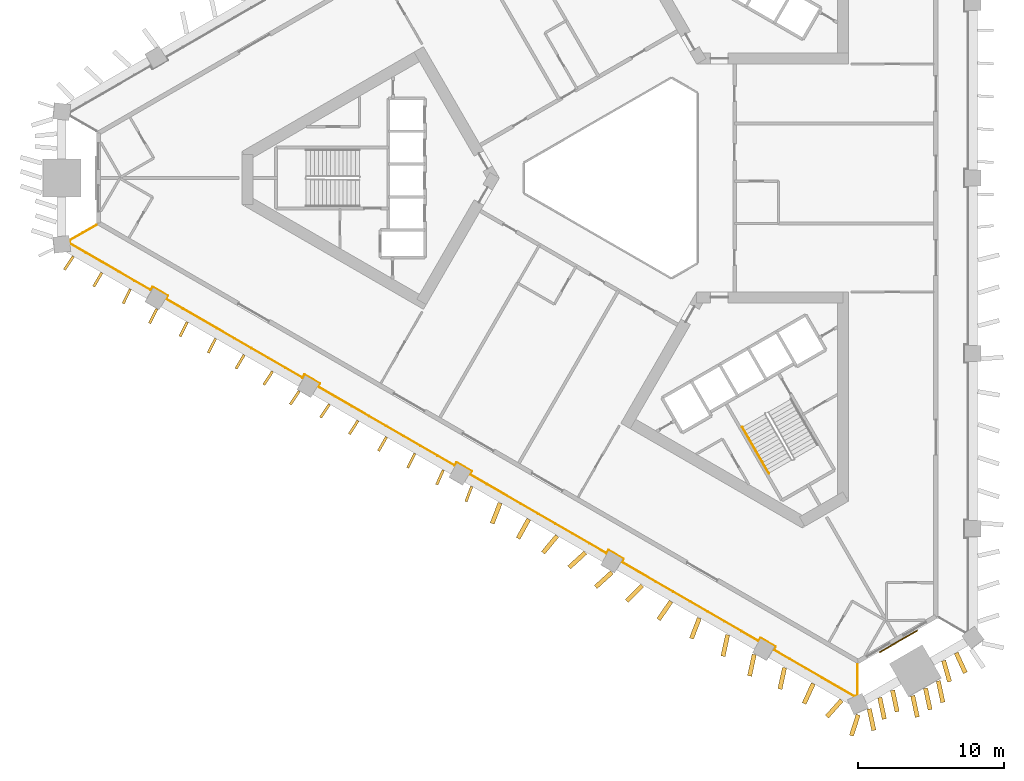
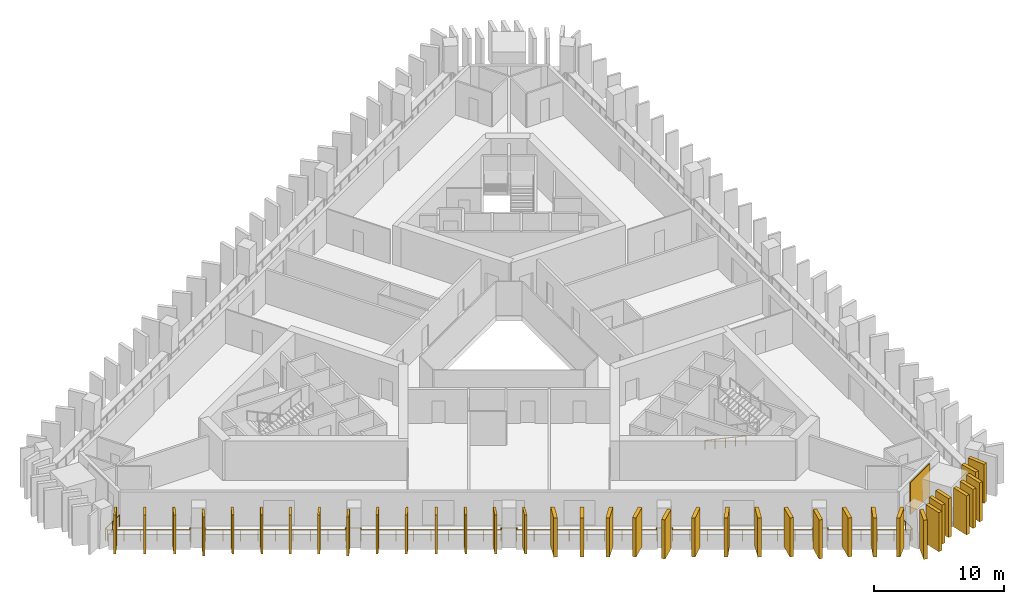
# One storey, part 8 of 11: 37 shading devices, 2 railings, 1 covering.
"""IFC4 building model written with IfcOpenShell, lengths in metres."""

from ifc_helpers import new_model, si_unit, direction, frame, frame_2d, origin, origin_2d, place, context, subcontext, project, spatial, rectangle, circle, extrude, material, layer, layer_set, type_object, element, save


model = new_model("IFC4")

# Units and contexts
model_context = context("Model", 3, precision=1e-05, world=origin(), true_north=direction((0.0, 1.0)))
body_context = subcontext(model_context, "Body", "Model", "MODEL_VIEW")
ifc_project = project(units=[si_unit("LENGTHUNIT", "METRE"), si_unit("AREAUNIT", "SQUARE_METRE"), si_unit("VOLUMEUNIT", "CUBIC_METRE"), si_unit("PLANEANGLEUNIT", "RADIAN"), si_unit("MASSUNIT", "GRAM", prefix="KILO")], contexts=[model_context])

# Site, building, storey
site_placement = place(None, origin())
site = spatial("IfcSite", under=ifc_project, at=site_placement, CompositionType="ELEMENT")
building_placement = place(site_placement, origin())
building = spatial("IfcBuilding", under=site, at=building_placement, Name="Jabali Bay Hotel Tower and Convention Centre", CompositionType="ELEMENT")
storey_placement = place(building_placement, frame((0.0, 0.0, 61.0)))
storey = spatial("IfcBuildingStorey", under=building, at=storey_placement, Name="L13", CompositionType="ELEMENT", Elevation=61.0)

# Railing
ifc_material_1 = material(Name="Glass", Category="glass")
railing_type_1 = type_object("IfcRailingType", Name="Loggia glass guard 1100", PredefinedType="BALUSTRADE", material=ifc_material_1)
railing_1_placement = place(storey_placement, frame((90.504638671875, 46.714111328125, 0.0)))
element("IfcRailing", 1, at=railing_1_placement, inside=storey, type_object=railing_type_1, Name="Loggia glass guard L13", PredefinedType="BALUSTRADE", context=body_context, shape_type="SweptSolid", body=[
    extrude(circle(Radius=0.02490234375, at=origin_2d()), frame((0.0, 0.0, 1.0751953125), z_axis=(0.0, -1.0, 0.0), x_axis=(0.991444861374, 0.0, 0.13052619222)), (0.0, 0.0, 1.0), 2.110595703125),
    extrude(circle(Radius=0.02490234375, at=origin_2d()), frame((0.0, -2.110595703125, 1.0751953125), z_axis=(-0.918259892691, -0.395978243688, 0.0), x_axis=(0.392590594921, -0.910404052014, 0.13052619222)), (0.0, 0.0, 1.0), 0.214599609375),
    extrude(circle(Radius=0.02490234375, at=origin_2d()), frame((-0.197021484375, -2.195556640625, 1.0751953125), z_axis=(-0.866037080148, 0.4999797754, 0.0), x_axis=(-0.495702379111, -0.858628012872, 0.13052619222)), (0.0, 0.0, 1.0), 6.378662109375),
    extrude(circle(Radius=0.02490234375, at=origin_2d()), frame((-5.72119140625, 0.99365234375, 1.0751953125), z_axis=(0.499919672301, 0.866071776036, 0.0), x_axis=(-0.858662411932, 0.495642790202, 0.13052619222)), (0.0, 0.0, 1.0), 0.25),
    extrude(circle(Radius=0.02490234375, at=origin_2d()), frame((-5.59619140625, 1.210205078125, 1.0751953125), z_axis=(-0.866043267704, 0.499969057507, 0.0), x_axis=(-0.495691752911, -0.858634147493, 0.13052619222)), (0.0, 0.0, 1.0), 1.19970703125),
    extrude(circle(Radius=0.02490234375, at=origin_2d()), frame((-6.63525390625, 1.81005859375, 1.0751953125), z_axis=(-0.500342721131, -0.865827443207, 0.0), x_axis=(0.858420169404, -0.496062219791, 0.13052619222)), (0.0, 0.0, 1.0), 0.249755859375),
    extrude(circle(Radius=0.02490234375, at=origin_2d()), frame((-6.76025390625, 1.59375, 1.0751953125), z_axis=(-0.866034388734, 0.499984437289, 0.0), x_axis=(-0.495707001117, -0.858625344483, 0.13052619222)), (0.0, 0.0, 1.0), 10.809326171875),
    extrude(circle(Radius=0.02490234375, at=origin_2d()), frame((-16.12158203125, 6.998291015625, 1.0751953125), z_axis=(0.499919672301, 0.866071776036, 0.0), x_axis=(-0.858662411932, 0.495642790202, 0.13052619222)), (0.0, 0.0, 1.0), 0.25),
    extrude(circle(Radius=0.02490234375, at=origin_2d()), frame((-15.99658203125, 7.21484375, 1.0751953125), z_axis=(-0.866006032174, 0.500033551112, 0.0), x_axis=(-0.495755694765, -0.858597230518, 0.13052619222)), (0.0, 0.0, 1.0), 1.2001953125),
    extrude(circle(Radius=0.02490234375, at=origin_2d()), frame((-17.035888671875, 7.81494140625, 1.0751953125), z_axis=(-0.499919672301, -0.866071776036, 0.0), x_axis=(0.858662411932, -0.495642790202, 0.13052619222)), (0.0, 0.0, 1.0), 0.25),
    extrude(circle(Radius=0.02490234375, at=origin_2d()), frame((-17.160888671875, 7.598388671875, 1.0751953125), z_axis=(-0.86601896228, 0.500011156846, 0.0), x_axis=(-0.495733492085, -0.858610050005, 0.13052619222)), (0.0, 0.0, 1.0), 10.809326171875),
    extrude(circle(Radius=0.02490234375, at=origin_2d()), frame((-26.52197265625, 13.003173828125, 1.0751953125), z_axis=(0.500342721131, 0.865827443207, 0.0), x_axis=(-0.858420169404, 0.496062219791, 0.13052619222)), (0.0, 0.0, 1.0), 0.249755859375),
    extrude(circle(Radius=0.02490234375, at=origin_2d()), frame((-26.39697265625, 13.219482421875, 1.0751953125), z_axis=(-0.866006032174, 0.500033551112, 0.0), x_axis=(-0.495755694765, -0.858597230518, 0.13052619222)), (0.0, 0.0, 1.0), 1.2001953125),
    extrude(circle(Radius=0.02490234375, at=origin_2d()), frame((-27.436279296875, 13.819580078125, 1.0751953125), z_axis=(-0.499919672301, -0.866071776036, 0.0), x_axis=(0.858662411932, -0.495642790202, 0.13052619222)), (0.0, 0.0, 1.0), 0.25),
    extrude(circle(Radius=0.02490234375, at=origin_2d()), frame((-27.561279296875, 13.60302734375, 1.0751953125), z_axis=(-0.866024608893, 0.500001376791, 0.0), x_axis=(-0.495723795699, -0.85861564831, 0.13052619222)), (0.0, 0.0, 1.0), 10.8095703125),
    extrude(circle(Radius=0.02490234375, at=origin_2d()), frame((-36.922607421875, 19.0078125, 1.0751953125), z_axis=(0.499919672301, 0.866071776036, 0.0), x_axis=(-0.858662411932, 0.495642790202, 0.13052619222)), (0.0, 0.0, 1.0), 0.25),
    extrude(circle(Radius=0.02490234375, at=origin_2d()), frame((-36.797607421875, 19.224365234375, 1.0751953125), z_axis=(-0.866094119867, 0.499880961361, 0.0), x_axis=(-0.49560441044, -0.858684564609, 0.13052619222)), (0.0, 0.0, 1.0), 1.199951171875),
    extrude(circle(Radius=0.02490234375, at=origin_2d()), frame((-37.8369140625, 19.82421875, 1.0751953125), z_axis=(-0.500342721131, -0.865827443207, 0.0), x_axis=(0.858420169404, -0.496062219791, 0.13052619222)), (0.0, 0.0, 1.0), 0.249755859375),
    extrude(circle(Radius=0.02490234375, at=origin_2d()), frame((-37.9619140625, 19.60791015625, 1.0751953125), z_axis=(-0.86602874244, 0.499994217234, 0.0), x_axis=(-0.495716697393, -0.858619746494, 0.13052619222)), (0.0, 0.0, 1.0), 10.809326171875),
    extrude(circle(Radius=0.02490234375, at=origin_2d()), frame((-47.322998046875, 25.012451171875, 1.0751953125), z_axis=(0.499919672301, 0.866071776036, 0.0), x_axis=(-0.858662411932, 0.495642790202, 0.13052619222)), (0.0, 0.0, 1.0), 0.25),
    extrude(circle(Radius=0.02490234375, at=origin_2d()), frame((-47.197998046875, 25.22900390625, 1.0751953125), z_axis=(-0.866006032174, 0.500033551112, 0.0), x_axis=(-0.495755694765, -0.858597230518, 0.13052619222)), (0.0, 0.0, 1.0), 1.2001953125),
    extrude(circle(Radius=0.02490234375, at=origin_2d()), frame((-48.2373046875, 25.8291015625, 1.0751953125), z_axis=(-0.499919672301, -0.866071776036, 0.0), x_axis=(0.858662411932, -0.495642790202, 0.13052619222)), (0.0, 0.0, 1.0), 0.25),
    extrude(circle(Radius=0.02490234375, at=origin_2d()), frame((-48.3623046875, 25.612548828125, 1.0751953125), z_axis=(-0.866027511822, 0.499996348755, 0.0), x_axis=(-0.495718810679, -0.858618526404, 0.13052619222)), (0.0, 0.0, 1.0), 6.37841796875),
    extrude(circle(Radius=0.02490234375, at=origin_2d()), frame((-53.88623046875, 28.8017578125, 1.0751953125), z_axis=(-0.115918072513, 0.993258778197, 0.0), x_axis=(-0.984761311658, -0.114926377333, 0.13052619222)), (0.0, 0.0, 1.0), 0.21484375),
    extrude(circle(Radius=0.02490234375, at=origin_2d()), frame((-53.9111328125, 29.01513671875, 1.0751953125), z_axis=(0.866027613664, 0.499996172356, 0.0), x_axis=(-0.495718635789, 0.858618627375, 0.13052619222)), (0.0, 0.0, 1.0), 2.1103515625),
    extrude(circle(Radius=0.02001953125, at=origin_2d()), origin(), (0.0, 0.0, 1.0), 1.050048828125),
    extrude(circle(Radius=0.02001953125, at=origin_2d()), frame((0.0, -1.05517578125, 0.0)), (0.0, 0.0, 1.0), 1.050048828125),
    extrude(circle(Radius=0.02001953125, at=origin_2d()), frame((0.0, -2.110595703125, 0.0)), (0.0, 0.0, 1.0), 1.050048828125),
    extrude(circle(Radius=0.02001953125, at=origin_2d()), frame((-0.197021484375, -2.195556640625, 0.0)), (0.0, 0.0, 1.0), 1.050048828125),
    extrude(circle(Radius=0.02001953125, at=origin_2d()), frame((-1.3017578125, -1.5576171875, 0.0)), (0.0, 0.0, 1.0), 1.050048828125),
    extrude(circle(Radius=0.02001953125, at=origin_2d()), frame((-2.40673828125, -0.919921875, 0.0)), (0.0, 0.0, 1.0), 1.050048828125),
    extrude(circle(Radius=0.02001953125, at=origin_2d()), frame((-3.511474609375, -0.281982421875, 0.0)), (0.0, 0.0, 1.0), 1.050048828125),
    extrude(circle(Radius=0.02001953125, at=origin_2d()), frame((-4.616455078125, 0.355712890625, 0.0)), (0.0, 0.0, 1.0), 1.050048828125),
    extrude(circle(Radius=0.02001953125, at=origin_2d()), frame((-5.72119140625, 0.99365234375, 0.0)), (0.0, 0.0, 1.0), 1.050048828125),
    extrude(circle(Radius=0.02001953125, at=origin_2d()), frame((-5.59619140625, 1.210205078125, 0.0)), (0.0, 0.0, 1.0), 1.050048828125),
    extrude(circle(Radius=0.02001953125, at=origin_2d()), frame((-6.63525390625, 1.81005859375, 0.0)), (0.0, 0.0, 1.0), 1.050048828125),
    extrude(circle(Radius=0.02001953125, at=origin_2d()), frame((-6.76025390625, 1.59375, 0.0)), (0.0, 0.0, 1.0), 1.050048828125),
    extrude(circle(Radius=0.02001953125, at=origin_2d()), frame((-7.930419921875, 2.269287109375, 0.0)), (0.0, 0.0, 1.0), 1.050048828125),
    extrude(circle(Radius=0.02001953125, at=origin_2d()), frame((-9.1005859375, 2.94482421875, 0.0)), (0.0, 0.0, 1.0), 1.050048828125),
    extrude(circle(Radius=0.02001953125, at=origin_2d()), frame((-10.270751953125, 3.620361328125, 0.0)), (0.0, 0.0, 1.0), 1.050048828125),
    extrude(circle(Radius=0.02001953125, at=origin_2d()), frame((-11.44091796875, 4.2958984375, 0.0)), (0.0, 0.0, 1.0), 1.050048828125),
    extrude(circle(Radius=0.02001953125, at=origin_2d()), frame((-12.611083984375, 4.9716796875, 0.0)), (0.0, 0.0, 1.0), 1.050048828125),
    extrude(circle(Radius=0.02001953125, at=origin_2d()), frame((-13.78125, 5.647216796875, 0.0)), (0.0, 0.0, 1.0), 1.050048828125),
    extrude(circle(Radius=0.02001953125, at=origin_2d()), frame((-14.951416015625, 6.32275390625, 0.0)), (0.0, 0.0, 1.0), 1.050048828125),
    extrude(circle(Radius=0.02001953125, at=origin_2d()), frame((-16.12158203125, 6.998291015625, 0.0)), (0.0, 0.0, 1.0), 1.050048828125),
    extrude(circle(Radius=0.02001953125, at=origin_2d()), frame((-15.99658203125, 7.21484375, 0.0)), (0.0, 0.0, 1.0), 1.050048828125),
    extrude(circle(Radius=0.02001953125, at=origin_2d()), frame((-17.035888671875, 7.81494140625, 0.0)), (0.0, 0.0, 1.0), 1.050048828125),
    extrude(circle(Radius=0.02001953125, at=origin_2d()), frame((-17.160888671875, 7.598388671875, 0.0)), (0.0, 0.0, 1.0), 1.050048828125),
    extrude(circle(Radius=0.02001953125, at=origin_2d()), frame((-18.3310546875, 8.27392578125, 0.0)), (0.0, 0.0, 1.0), 1.050048828125),
    extrude(circle(Radius=0.02001953125, at=origin_2d()), frame((-19.501220703125, 8.94970703125, 0.0)), (0.0, 0.0, 1.0), 1.050048828125),
    extrude(circle(Radius=0.02001953125, at=origin_2d()), frame((-20.67138671875, 9.625244140625, 0.0)), (0.0, 0.0, 1.0), 1.050048828125),
    extrude(circle(Radius=0.02001953125, at=origin_2d()), frame((-21.84130859375, 10.30078125, 0.0)), (0.0, 0.0, 1.0), 1.050048828125),
    extrude(circle(Radius=0.02001953125, at=origin_2d()), frame((-23.011474609375, 10.976318359375, 0.0)), (0.0, 0.0, 1.0), 1.050048828125),
    extrude(circle(Radius=0.02001953125, at=origin_2d()), frame((-24.181640625, 11.65185546875, 0.0)), (0.0, 0.0, 1.0), 1.050048828125),
    extrude(circle(Radius=0.02001953125, at=origin_2d()), frame((-25.351806640625, 12.32763671875, 0.0)), (0.0, 0.0, 1.0), 1.050048828125),
    extrude(circle(Radius=0.02001953125, at=origin_2d()), frame((-26.52197265625, 13.003173828125, 0.0)), (0.0, 0.0, 1.0), 1.050048828125),
    extrude(circle(Radius=0.02001953125, at=origin_2d()), frame((-26.39697265625, 13.219482421875, 0.0)), (0.0, 0.0, 1.0), 1.050048828125),
    extrude(circle(Radius=0.02001953125, at=origin_2d()), frame((-27.436279296875, 13.819580078125, 0.0)), (0.0, 0.0, 1.0), 1.050048828125),
    extrude(circle(Radius=0.02001953125, at=origin_2d()), frame((-27.561279296875, 13.60302734375, 0.0)), (0.0, 0.0, 1.0), 1.050048828125),
    extrude(circle(Radius=0.02001953125, at=origin_2d()), frame((-28.7314453125, 14.278564453125, 0.0)), (0.0, 0.0, 1.0), 1.050048828125),
    extrude(circle(Radius=0.02001953125, at=origin_2d()), frame((-29.901611328125, 14.9541015625, 0.0)), (0.0, 0.0, 1.0), 1.050048828125),
    extrude(circle(Radius=0.02001953125, at=origin_2d()), frame((-31.07177734375, 15.6298828125, 0.0)), (0.0, 0.0, 1.0), 1.050048828125),
    extrude(circle(Radius=0.02001953125, at=origin_2d()), frame((-32.241943359375, 16.305419921875, 0.0)), (0.0, 0.0, 1.0), 1.050048828125),
    extrude(circle(Radius=0.02001953125, at=origin_2d()), frame((-33.412109375, 16.98095703125, 0.0)), (0.0, 0.0, 1.0), 1.050048828125),
    extrude(circle(Radius=0.02001953125, at=origin_2d()), frame((-34.582275390625, 17.65673828125, 0.0)), (0.0, 0.0, 1.0), 1.050048828125),
    extrude(circle(Radius=0.02001953125, at=origin_2d()), frame((-35.75244140625, 18.332275390625, 0.0)), (0.0, 0.0, 1.0), 1.050048828125),
    extrude(circle(Radius=0.02001953125, at=origin_2d()), frame((-36.922607421875, 19.0078125, 0.0)), (0.0, 0.0, 1.0), 1.050048828125),
    extrude(circle(Radius=0.02001953125, at=origin_2d()), frame((-36.797607421875, 19.224365234375, 0.0)), (0.0, 0.0, 1.0), 1.050048828125),
    extrude(circle(Radius=0.02001953125, at=origin_2d()), frame((-37.8369140625, 19.82421875, 0.0)), (0.0, 0.0, 1.0), 1.050048828125),
    extrude(circle(Radius=0.02001953125, at=origin_2d()), frame((-37.9619140625, 19.60791015625, 0.0)), (0.0, 0.0, 1.0), 1.050048828125),
    extrude(circle(Radius=0.02001953125, at=origin_2d()), frame((-39.132080078125, 20.283447265625, 0.0)), (0.0, 0.0, 1.0), 1.050048828125),
    extrude(circle(Radius=0.02001953125, at=origin_2d()), frame((-40.30224609375, 20.958984375, 0.0)), (0.0, 0.0, 1.0), 1.050048828125),
    extrude(circle(Radius=0.02001953125, at=origin_2d()), frame((-41.472412109375, 21.634521484375, 0.0)), (0.0, 0.0, 1.0), 1.050048828125),
    extrude(circle(Radius=0.02001953125, at=origin_2d()), frame((-42.642578125, 22.31005859375, 0.0)), (0.0, 0.0, 1.0), 1.050048828125),
    extrude(circle(Radius=0.02001953125, at=origin_2d()), frame((-43.8125, 22.98583984375, 0.0)), (0.0, 0.0, 1.0), 1.050048828125),
    extrude(circle(Radius=0.02001953125, at=origin_2d()), frame((-44.982666015625, 23.661376953125, 0.0)), (0.0, 0.0, 1.0), 1.050048828125),
    extrude(circle(Radius=0.02001953125, at=origin_2d()), frame((-46.15283203125, 24.3369140625, 0.0)), (0.0, 0.0, 1.0), 1.050048828125),
    extrude(circle(Radius=0.02001953125, at=origin_2d()), frame((-47.322998046875, 25.012451171875, 0.0)), (0.0, 0.0, 1.0), 1.050048828125),
    extrude(circle(Radius=0.02001953125, at=origin_2d()), frame((-47.197998046875, 25.22900390625, 0.0)), (0.0, 0.0, 1.0), 1.050048828125),
    extrude(circle(Radius=0.02001953125, at=origin_2d()), frame((-48.2373046875, 25.8291015625, 0.0)), (0.0, 0.0, 1.0), 1.050048828125),
    extrude(circle(Radius=0.02001953125, at=origin_2d()), frame((-48.3623046875, 25.612548828125, 0.0)), (0.0, 0.0, 1.0), 1.050048828125),
    extrude(circle(Radius=0.02001953125, at=origin_2d()), frame((-49.467041015625, 26.25048828125, 0.0)), (0.0, 0.0, 1.0), 1.050048828125),
    extrude(circle(Radius=0.02001953125, at=origin_2d()), frame((-50.57177734375, 26.88818359375, 0.0)), (0.0, 0.0, 1.0), 1.050048828125),
    extrude(circle(Radius=0.02001953125, at=origin_2d()), frame((-51.6767578125, 27.526123046875, 0.0)), (0.0, 0.0, 1.0), 1.050048828125),
    extrude(circle(Radius=0.02001953125, at=origin_2d()), frame((-52.781494140625, 28.163818359375, 0.0)), (0.0, 0.0, 1.0), 1.050048828125),
    extrude(circle(Radius=0.02001953125, at=origin_2d()), frame((-53.88623046875, 28.8017578125, 0.0)), (0.0, 0.0, 1.0), 1.050048828125),
    extrude(circle(Radius=0.02001953125, at=origin_2d()), frame((-53.9111328125, 29.01513671875, 0.0)), (0.0, 0.0, 1.0), 1.050048828125),
    extrude(circle(Radius=0.02001953125, at=origin_2d()), frame((-52.997314453125, 29.542724609375, 0.0)), (0.0, 0.0, 1.0), 1.050048828125),
    extrude(circle(Radius=0.02001953125, at=origin_2d()), frame((-52.08349609375, 30.0703125, 0.0)), (0.0, 0.0, 1.0), 1.050048828125),
])

# Shading devices
ifc_material_2 = material(Name="Precast concrete C60", Category="concrete")
ifc_layer_1 = layer(ifc_material_2, 0.179931640625)
ifc_layer_set_1 = layer_set([ifc_layer_1], Name="Precast concrete C60")
shading_device_type_1 = type_object("IfcShadingDeviceType", Name="Precast fin 3680 x 1100", PredefinedType="USERDEFINED", material=ifc_layer_set_1)
for number, where, z_axis, x_axis, name in (
    (2, (36.845947265625, 74.635986328125, 0.010009765625), (0.0, 0.0, 1.0), (-0.555724089154, -0.831366788327, 0.0), "Fin L13 074"),
    (3, (38.796142578125, 73.51611328125, 0.010009765625), (0.0, 0.0, 1.0), (-0.505360617931, -0.862908248799, 0.0), "Fin L13 075"),
):
    element("IfcShadingDevice", number, at=place(storey_placement, frame(where, z_axis=z_axis, x_axis=x_axis)), inside=storey, type_object=shading_device_type_1, Name=name, ObjectType="FIN", PredefinedType="USERDEFINED", context=body_context, shape_type="SweptSolid", body=[
        extrude(rectangle(XDim=1.10009765625, YDim=0.179931640625, at=frame_2d((0.550048828125, 0.0))), origin(), (0.0, 0.0, 1.0), 3.679931640625),
    ])
shading_device_1_placement = place(storey_placement, frame((40.7412109375, 72.38720703125, 0.010009765625), z_axis=(0.0, 0.0, 1.0), x_axis=(-0.444370211076, -0.895843242709, 0.0)))
element("IfcShadingDevice", 4, at=shading_device_1_placement, inside=storey, type_object=shading_device_type_1, Name="Fin L13 076", ObjectType="FIN", PredefinedType="USERDEFINED", context=body_context, shape_type="SweptSolid", body=[
    extrude(rectangle(XDim=1.099853515625, YDim=0.179931640625, at=frame_2d((0.5498046875, 0.0))), origin(), (0.0, 0.0, 1.0), 3.679931640625),
])
for number, where, z_axis, x_axis, name in (
    (5, (42.56005859375, 71.039794921875, 0.010009765625), (0.0, 0.0, 1.0), (-0.444548317937, -0.895754873288, 0.0), "Fin L13 077"),
    (6, (44.636474609375, 70.138427734375, 0.010009765625), (0.0, 0.0, 1.0), (-0.444726372088, -0.895666485903, 0.0), "Fin L13 078"),
):
    element("IfcShadingDevice", number, at=place(storey_placement, frame(where, z_axis=z_axis, x_axis=x_axis)), inside=storey, type_object=shading_device_type_1, Name=name, ObjectType="FIN", PredefinedType="USERDEFINED", context=body_context, shape_type="SweptSolid", body=[
        extrude(rectangle(XDim=1.10009765625, YDim=0.179931640625, at=frame_2d((0.550048828125, 0.0))), origin(), (0.0, 0.0, 1.0), 3.679931640625),
    ])
shading_device_2_placement = place(storey_placement, frame((46.58447265625, 69.0146484375, 0.010009765625), z_axis=(0.0, 0.0, 1.0), x_axis=(-0.45368304067, -0.891163115601, 0.0)))
element("IfcShadingDevice", 7, at=shading_device_2_placement, inside=storey, type_object=shading_device_type_1, Name="Fin L13 079", ObjectType="FIN", PredefinedType="USERDEFINED", context=body_context, shape_type="SweptSolid", body=[
    extrude(rectangle(XDim=1.099853515625, YDim=0.179931640625, at=frame_2d((0.5498046875, 0.0))), origin(), (0.0, 0.0, 1.0), 3.679931640625),
])
shading_device_3_placement = place(storey_placement, frame((48.5341796875, 67.893798828125, 0.010009765625), z_axis=(0.0, 0.0, 1.0), x_axis=(-0.506214921778, -0.862407359065, 0.0)))
element("IfcShadingDevice", 8, at=shading_device_3_placement, inside=storey, type_object=shading_device_type_1, Name="Fin L13 080", ObjectType="FIN", PredefinedType="USERDEFINED", context=body_context, shape_type="SweptSolid", body=[
    extrude(rectangle(XDim=1.10009765625, YDim=0.179931640625, at=frame_2d((0.550048828125, 0.0))), origin(), (0.0, 0.0, 1.0), 3.679931640625),
])
shading_device_4_placement = place(storey_placement, frame((50.4794921875, 66.76513671875, 0.010009765625), z_axis=(0.0, 0.0, 1.0), x_axis=(-0.550492718222, -0.834839965014, 0.0)))
element("IfcShadingDevice", 9, at=shading_device_4_placement, inside=storey, type_object=shading_device_type_1, Name="Fin L13 081", ObjectType="FIN", PredefinedType="USERDEFINED", context=body_context, shape_type="SweptSolid", body=[
    extrude(rectangle(XDim=1.099853515625, YDim=0.179931640625, at=frame_2d((0.5498046875, 0.0))), origin(), (0.0, 0.0, 1.0), 3.679931640625),
])
shading_device_5_placement = place(storey_placement, frame((52.29833984375, 65.41748046875, 0.010009765625), z_axis=(0.0, 0.0, 1.0), x_axis=(-0.553726719201, -0.832698457091, 0.0)))
element("IfcShadingDevice", 10, at=shading_device_5_placement, inside=storey, type_object=shading_device_type_1, Name="Fin L13 082", ObjectType="FIN", PredefinedType="USERDEFINED", context=body_context, shape_type="SweptSolid", body=[
    extrude(rectangle(XDim=1.10009765625, YDim=0.179931640625, at=frame_2d((0.550048828125, 0.0))), origin(), (0.0, 0.0, 1.0), 3.679931640625),
])
shading_device_6_placement = place(storey_placement, frame((54.37451171875, 64.515869140625, 0.010009765625), z_axis=(0.0, 0.0, 1.0), x_axis=(-0.554085305216, -0.832459893654, 0.0)))
element("IfcShadingDevice", 11, at=shading_device_6_placement, inside=storey, type_object=shading_device_type_1, Name="Fin L13 083", ObjectType="FIN", PredefinedType="USERDEFINED", context=body_context, shape_type="SweptSolid", body=[
    extrude(rectangle(XDim=1.099853515625, YDim=0.179931640625, at=frame_2d((0.5498046875, 0.0))), origin(), (0.0, 0.0, 1.0), 3.679931640625),
])
for number, where, z_axis, x_axis, name in (
    (12, (56.3232421875, 63.393310546875, 0.010009765625), (0.0, 0.0, 1.0), (-0.535453242154, -0.844564873451, 0.0), "Fin L13 084"),
    (13, (58.2724609375, 62.271484375, 0.010009765625), (0.0, 0.0, 1.0), (-0.493986531217, -0.869469554945, 0.0), "Fin L13 085"),
    (14, (60.2177734375, 61.14306640625, 0.010009765625), (0.0, 0.0, 1.0), (-0.448988248692, -0.89353766151, 0.0), "Fin L13 086"),
):
    element("IfcShadingDevice", number, at=place(storey_placement, frame(where, z_axis=z_axis, x_axis=x_axis)), inside=storey, type_object=shading_device_type_1, Name=name, ObjectType="FIN", PredefinedType="USERDEFINED", context=body_context, shape_type="SweptSolid", body=[
        extrude(rectangle(XDim=1.10009765625, YDim=0.179931640625, at=frame_2d((0.550048828125, 0.0))), origin(), (0.0, 0.0, 1.0), 3.679931640625),
    ])
for number, where, z_axis, x_axis, name in (
    (15, (62.163330078125, 60.01513671875, 0.010009765625), (0.0, 0.0, 1.0), (-0.408176242739, -0.912903146486, 0.0), "Fin L13 087"),
    (16, (64.1083984375, 58.88623046875, 0.010009765625), (0.0, 0.0, 1.0), (-0.35714885788, -0.934047479155, 0.0), "Fin L13 088"),
):
    element("IfcShadingDevice", number, at=place(storey_placement, frame(where, z_axis=z_axis, x_axis=x_axis)), inside=storey, type_object=shading_device_type_1, Name=name, ObjectType="FIN", PredefinedType="USERDEFINED", context=body_context, shape_type="SweptSolid", body=[
        extrude(rectangle(XDim=1.099853515625, YDim=0.179931640625, at=frame_2d((0.5498046875, 0.0))), origin(), (0.0, 0.0, 1.0), 3.679931640625),
    ])
ifc_layer_2 = layer(ifc_material_2, 0.300048828125)
ifc_layer_set_2 = layer_set([ifc_layer_2], Name="Precast concrete C60")
shading_device_type_2 = type_object("IfcShadingDeviceType", Name="Precast fin 3680 x 1500", PredefinedType="USERDEFINED", material=ifc_layer_set_2)
for number, where, z_axis, x_axis, name in (
    (17, (66.0517578125, 57.75439453125, 0.010009765625), (0.0, 0.0, 1.0), (-0.362477679396, -0.931992452727, 0.0), "Fin L13 089"),
    (18, (68.009521484375, 56.6474609375, 0.010009765625), (0.0, 0.0, 1.0), (-0.484702934805, -0.87467883534, 0.0), "Fin L13 090"),
):
    element("IfcShadingDevice", number, at=place(storey_placement, frame(where, z_axis=z_axis, x_axis=x_axis)), inside=storey, type_object=shading_device_type_2, Name=name, ObjectType="FIN", PredefinedType="USERDEFINED", context=body_context, shape_type="SweptSolid", body=[
        extrude(rectangle(XDim=1.5, YDim=0.300048828125, at=frame_2d((0.75, 0.0))), origin(), (0.0, 0.0, 1.0), 3.679931640625),
    ])
shading_device_7_placement = place(storey_placement, frame((69.94580078125, 55.503662109375, 0.010009765625), z_axis=(0.0, 0.0, 1.0), x_axis=(-0.637314544215, -0.770603770904, 0.0)))
element("IfcShadingDevice", 19, at=shading_device_7_placement, inside=storey, type_object=shading_device_type_2, Name="Fin L13 091", ObjectType="FIN", PredefinedType="USERDEFINED", context=body_context, shape_type="SweptSolid", body=[
    extrude(rectangle(XDim=1.500244140625, YDim=0.300048828125, at=frame_2d((0.75, 0.0))), origin(), (0.0, 0.0, 1.0), 3.679931640625),
])
for number, where, z_axis, x_axis, name in (
    (20, (71.88330078125, 54.361572265625, 0.010009765625), (0.0, 0.0, 1.0), (-0.738443208372, -0.674315673857, 0.0), "Fin L13 092"),
    (21, (73.701904296875, 53.013671875, 0.010009765625), (0.0, 0.0, 1.0), (-0.741080590111, -0.671416084825, 0.0), "Fin L13 093"),
    (22, (75.781982421875, 52.1181640625, 0.010009765625), (0.0, 0.0, 1.0), (-0.707025396969, -0.707188156038, 0.0), "Fin L13 094"),
    (23, (77.7431640625, 51.017578125, 0.010009765625), (0.0, 0.0, 1.0), (-0.563831688132, -0.825889718702, 0.0), "Fin L13 095"),
    (24, (79.684814453125, 49.8828125, 0.010009765625), (0.0, 0.0, 1.0), (-0.359884213044, -0.932996973844, 0.0), "Fin L13 096"),
):
    element("IfcShadingDevice", number, at=place(storey_placement, frame(where, z_axis=z_axis, x_axis=x_axis)), inside=storey, type_object=shading_device_type_2, Name=name, ObjectType="FIN", PredefinedType="USERDEFINED", context=body_context, shape_type="SweptSolid", body=[
        extrude(rectangle(XDim=1.5, YDim=0.300048828125, at=frame_2d((0.75, 0.0))), origin(), (0.0, 0.0, 1.0), 3.679931640625),
    ])
shading_device_8_placement = place(storey_placement, frame((81.62109375, 48.738525390625, 0.010009765625), z_axis=(0.0, 0.0, 1.0), x_axis=(-0.210151588234, -0.977668814048, 0.0)))
element("IfcShadingDevice", 25, at=shading_device_8_placement, inside=storey, type_object=shading_device_type_2, Name="Fin L13 097", ObjectType="FIN", PredefinedType="USERDEFINED", context=body_context, shape_type="SweptSolid", body=[
    extrude(rectangle(XDim=1.499755859375, YDim=0.300048828125, at=frame_2d((0.75, 0.0))), origin(), (0.0, 0.0, 1.0), 3.679931640625),
])
for number, where, z_axis, x_axis, name in (
    (26, (83.43994140625, 47.39111328125, 0.010009765625), (0.0, 0.0, 1.0), (-0.210118148459, -0.977676001387, 0.0), "Fin L13 098"),
    (27, (85.516357421875, 46.48974609375, 0.010009765625), (0.0, 0.0, 1.0), (-0.210118148459, -0.977676001387, 0.0), "Fin L13 099"),
):
    element("IfcShadingDevice", number, at=place(storey_placement, frame(where, z_axis=z_axis, x_axis=x_axis)), inside=storey, type_object=shading_device_type_2, Name=name, ObjectType="FIN", PredefinedType="USERDEFINED", context=body_context, shape_type="SweptSolid", body=[
        extrude(rectangle(XDim=1.5, YDim=0.300048828125, at=frame_2d((0.75, 0.0))), origin(), (0.0, 0.0, 1.0), 3.679931640625),
    ])
shading_device_9_placement = place(storey_placement, frame((87.47998046875, 45.39306640625, 0.010009765625), z_axis=(0.0, 0.0, 1.0), x_axis=(-0.416951691332, -0.908928647967, 0.0)))
element("IfcShadingDevice", 28, at=shading_device_9_placement, inside=storey, type_object=shading_device_type_2, Name="Fin L13 100", ObjectType="FIN", PredefinedType="USERDEFINED", context=body_context, shape_type="SweptSolid", body=[
    extrude(rectangle(XDim=1.500244140625, YDim=0.300048828125, at=frame_2d((0.75, 0.0))), origin(), (0.0, 0.0, 1.0), 3.679931640625),
])
shading_device_10_placement = place(storey_placement, frame((89.419189453125, 44.25390625, 0.010009765625), z_axis=(0.0, 0.0, 1.0), x_axis=(-0.667046995461, -0.745015641343, 0.0)))
element("IfcShadingDevice", 29, at=shading_device_10_placement, inside=storey, type_object=shading_device_type_2, Name="Fin L13 101", ObjectType="FIN", PredefinedType="USERDEFINED", context=body_context, shape_type="SweptSolid", body=[
    extrude(rectangle(XDim=1.499755859375, YDim=0.300048828125, at=frame_2d((0.75, 0.0))), origin(), (0.0, 0.0, 1.0), 3.679931640625),
])
for number, where, z_axis, x_axis, name in (
    (30, (91.312744140625, 43.66845703125, 0.010009765625), (0.0, 0.0, 1.0), (0.210118148459, -0.977676001387, 0.0), "Fin L13 102"),
    (31, (92.03271484375, 44.440673828125, 0.010009765625), (0.0, 0.0, 1.0), (0.210118148459, -0.977676001387, 0.0), "Fin L13 103"),
    (32, (92.906982421875, 44.945556640625, 0.010009765625), (0.0, 0.0, 1.0), (0.210273710971, -0.977642555577, 0.0), "Fin L13 104"),
):
    element("IfcShadingDevice", number, at=place(storey_placement, frame(where, z_axis=z_axis, x_axis=x_axis)), inside=storey, type_object=shading_device_type_2, Name=name, ObjectType="FIN", PredefinedType="USERDEFINED", context=body_context, shape_type="SweptSolid", body=[
        extrude(rectangle(XDim=1.5, YDim=0.300048828125, at=frame_2d((0.75, 0.0))), origin(), (0.0, 0.0, 1.0), 3.679931640625),
    ])
shading_device_11_placement = place(storey_placement, frame((94.28759765625, 44.573486328125, 0.010009765625), z_axis=(0.0, 0.0, 1.0), x_axis=(0.210307173215, -0.977635357838, 0.0)))
element("IfcShadingDevice", 33, at=shading_device_11_placement, inside=storey, type_object=shading_device_type_2, Name="Fin L13 105", ObjectType="FIN", PredefinedType="USERDEFINED", context=body_context, shape_type="SweptSolid", body=[
    extrude(rectangle(XDim=1.499755859375, YDim=0.300048828125, at=frame_2d((0.75, 0.0))), origin(), (0.0, 0.0, 1.0), 3.679931640625),
])
for number, where, z_axis, x_axis, name in (
    (34, (95.162109375, 45.078369140625, 0.010009765625), (0.0, 0.0, 1.0), (0.210118148459, -0.977676001387, 0.0), "Fin L13 106"),
    (35, (96.036376953125, 45.583251953125, 0.010009765625), (0.0, 0.0, 1.0), (0.210273710971, -0.977642555577, 0.0), "Fin L13 107"),
    (36, (96.39990234375, 46.972900390625, 0.010009765625), (0.0, 0.0, 1.0), (0.273280513115, -0.961934385055, 0.0), "Fin L13 108"),
    (37, (97.262939453125, 47.49755859375, 0.010009765625), (0.0, 0.0, 1.0), (0.417943219407, -0.908473150595, 0.0), "Fin L13 109"),
    (38, (90.5546875, 43.265380859375, 0.010009765625), (0.0, 0.0, 1.0), (-0.30678878538, -0.951777621698, 0.0), "Fin L13 116"),
):
    element("IfcShadingDevice", number, at=place(storey_placement, frame(where, z_axis=z_axis, x_axis=x_axis)), inside=storey, type_object=shading_device_type_2, Name=name, ObjectType="FIN", PredefinedType="USERDEFINED", context=body_context, shape_type="SweptSolid", body=[
        extrude(rectangle(XDim=1.5, YDim=0.300048828125, at=frame_2d((0.75, 0.0))), origin(), (0.0, 0.0, 1.0), 3.679931640625),
    ])

# Covering
ifc_material_3 = material(Name="Precast concrete C40/50", Category="concrete")
ifc_layer_3 = layer(ifc_material_3, 0.080078125)
ifc_layer_set_3 = layer_set([ifc_layer_3], Name="Precast concrete C40/50")
covering_type = type_object("IfcCoveringType", Name="Relief panel 3000 x 3000", PredefinedType="CLADDING", material=ifc_layer_set_3)
covering_placement = place(storey_placement, frame((93.309326171875, 48.287109375, 0.10009765625), z_axis=(0.0, 0.0, 1.0), x_axis=(-0.866025394429, -0.500000016203, 0.0)))
element("IfcCovering", 39, at=covering_placement, inside=storey, type_object=covering_type, Name="Relief panel L13", PredefinedType="CLADDING", context=body_context, shape_type="SweptSolid", body=[
    extrude(rectangle(XDim=3.0, YDim=0.080078125, at=origin_2d()), origin(), (0.0, 0.0, 1.0), 3.0),
])

# Railing
ifc_material_4 = material(Name="Steel Q355B", Category="steel")
railing_type_2 = type_object("IfcRailingType", Name="Stair handrail 900", PredefinedType="HANDRAIL", material=ifc_material_4)
railing_2_placement = place(storey_placement, frame((82.622802734375, 62.94677734375, 0.132080078125)))
element("IfcRailing", 40, at=railing_2_placement, inside=storey, type_object=railing_type_2, Name="L13 ST3 stair handrail 1", PredefinedType="HANDRAIL", context=body_context, shape_type="SweptSolid", body=[
    extrude(circle(Radius=0.02392578125, at=origin_2d()), frame((0.0, 0.0, 0.8759765625), z_axis=(0.45217862506, -0.783169739339, 0.426825081763), x_axis=(0.866018046521, 0.500012742938, 0.0)), (0.0, 0.0, 1.0), 4.025146484375),
    extrude(circle(Radius=0.02099609375, at=origin_2d()), origin(), (0.0, 0.0, 1.0), 0.851806640625),
    extrude(circle(Radius=0.02099609375, at=origin_2d()), frame((0.455078125, -0.7880859375, 0.429443359375)), (0.0, 0.0, 1.0), 0.851806640625),
    extrude(circle(Radius=0.02099609375, at=origin_2d()), frame((0.91015625, -1.576171875, 0.85888671875)), (0.0, 0.0, 1.0), 0.851806640625),
    extrude(circle(Radius=0.02099609375, at=origin_2d()), frame((1.364990234375, -2.3642578125, 1.28857421875)), (0.0, 0.0, 1.0), 0.851806640625),
    extrude(circle(Radius=0.02099609375, at=origin_2d()), frame((1.820068359375, -3.15234375, 1.718017578125)), (0.0, 0.0, 1.0), 0.851806640625),
])

save(model, "model.ifc")
